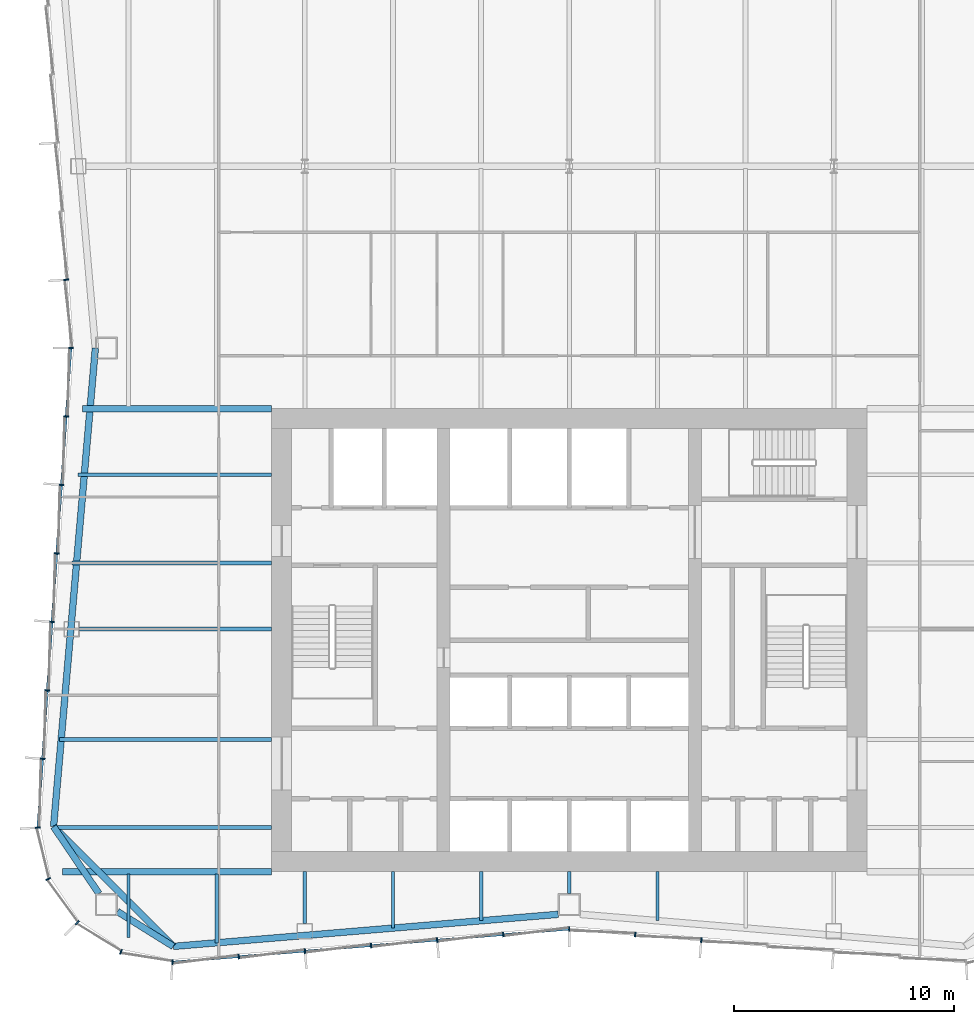
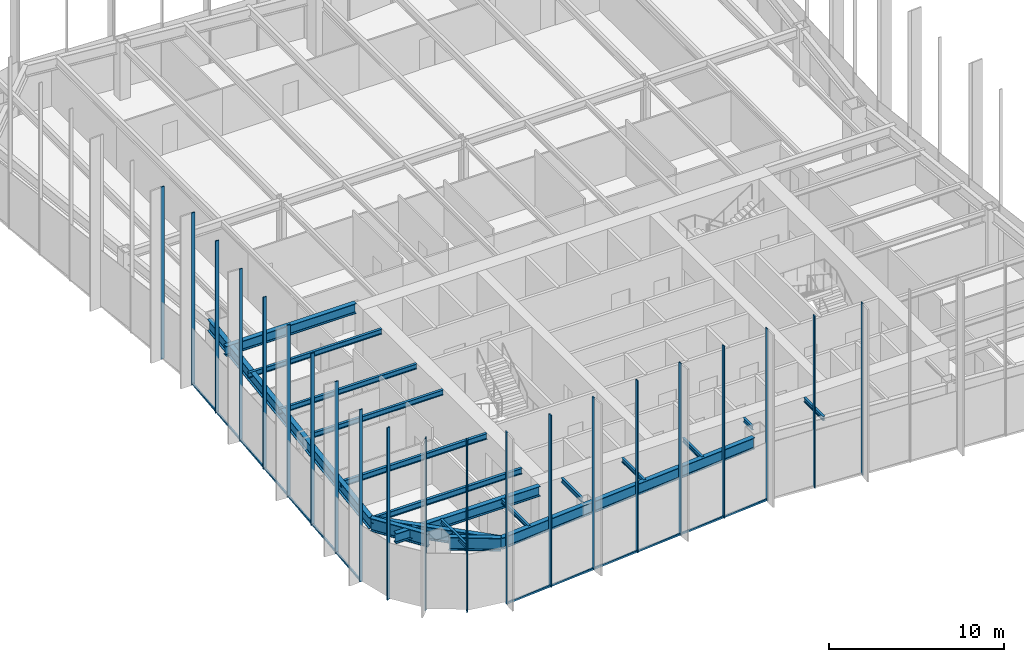
# One storey, part 2 of 13: 23 members, 19 beams, 3 elements without a shape of their own.
"""IFC4 building model written with IfcOpenShell, lengths in metres."""

from ifc_helpers import new_model, si_unit, direction, frame, origin, origin_2d, place, context, subcontext, project, spatial, rectangle, i_section, extrude, material, material_profile, profile_set, type_object, element, aggregate, save


model = new_model("IFC4")

# Units and contexts
model_context = context("Model", 3, precision=1e-05, world=origin(), true_north=direction((0.0, 1.0)))
body_context = subcontext(model_context, "Body", "Model", "MODEL_VIEW")
ifc_project = project(units=[si_unit("LENGTHUNIT", "METRE"), si_unit("AREAUNIT", "SQUARE_METRE"), si_unit("VOLUMEUNIT", "CUBIC_METRE"), si_unit("PLANEANGLEUNIT", "RADIAN"), si_unit("MASSUNIT", "GRAM", prefix="KILO")], contexts=[model_context])

# Site, building, storey
site_placement = place(None, origin())
site = spatial("IfcSite", under=ifc_project, at=site_placement, CompositionType="ELEMENT")
building_placement = place(site_placement, origin())
building = spatial("IfcBuilding", under=site, at=building_placement, Name="Verdant Reach Tower", CompositionType="ELEMENT")
storey_placement = place(building_placement, frame((0.0, 0.0, 194.0)))
storey = spatial("IfcBuildingStorey", under=building, at=storey_placement, Name="L44", CompositionType="ELEMENT", Elevation=194.0)

# Curtain wall, members
ifc_material_1 = material(Name="Anodised aluminium", Category="aluminium")
curtain_wall_type = type_object("IfcCurtainWallType", Name="EN-CW SYSTEM Z3", PredefinedType="NOTDEFINED", material=ifc_material_1)
curtain_wall_1_placement = place(storey_placement, origin())
curtain_wall_1 = element("IfcCurtainWall", 1, at=curtain_wall_1_placement, inside=storey, type_object=curtain_wall_type, Name="Curtain wall west, L44", PredefinedType="NOTDEFINED")
ifc_material_profile_1 = material_profile(ifc_material_1, rectangle(XDim=0.218017578125, YDim=0.06591796875, at=origin_2d()), Name="Mullion 66x218")
ifc_profile_set_1 = profile_set([ifc_material_profile_1], Name="Anodised aluminium")
member_type_1 = type_object("IfcMemberType", Name="EN-MULLION Z3", PredefinedType="MULLION", material=ifc_profile_set_1)
member_1_placement = place(storey_placement, frame((-22.822998046875, 44.349609375, -0.35009765625), z_axis=(0.0, 0.0, 1.0), x_axis=(-0.997630328423, -0.068802091615, 0.0)))
member_1 = element("IfcMember", 2, at=member_1_placement, type_object=member_type_1, Name="Mullion west face part 1 7, L44", PredefinedType="MULLION", context=body_context, shape_type="SweptSolid", body=[
    extrude(rectangle(XDim=0.218017578125, YDim=0.06591796875, at=origin_2d()), origin(), (0.0, 0.0, 1.0), 12.0),
])
member_2_placement = place(storey_placement, frame((-22.60888671875, 41.25, -0.35009765625), z_axis=(0.0, 0.0, 1.0), x_axis=(-1.0, 0.0, 0.0)))
member_2 = element("IfcMember", 3, at=member_2_placement, type_object=member_type_1, Name="Mullion west face part 2 1, L44", PredefinedType="MULLION", context=body_context, shape_type="SweptSolid", body=[
    extrude(rectangle(XDim=0.218017578125, YDim=0.06591796875, at=origin_2d()), origin(), (0.0, 0.0, 1.0), 12.0),
])
member_3_placement = place(storey_placement, frame((-22.822998046875, 38.150390625, -0.35009765625), z_axis=(0.0, 0.0, 1.0), x_axis=(-0.997630328423, 0.068802091615, 0.0)))
member_3 = element("IfcMember", 4, at=member_3_placement, type_object=member_type_1, Name="Mullion west face part 2 2, L44", PredefinedType="MULLION", context=body_context, shape_type="SweptSolid", body=[
    extrude(rectangle(XDim=0.218017578125, YDim=0.06591796875, at=origin_2d()), origin(), (0.0, 0.0, 1.0), 12.0),
])
member_4_placement = place(storey_placement, frame((-23.037353515625, 35.043212890625, -0.35009765625), z_axis=(0.0, 0.0, 1.0), x_axis=(-0.997630328423, 0.068802091615, 0.0)))
member_4 = element("IfcMember", 5, at=member_4_placement, type_object=member_type_1, Name="Mullion west face part 2 3, L44", PredefinedType="MULLION", context=body_context, shape_type="SweptSolid", body=[
    extrude(rectangle(XDim=0.218017578125, YDim=0.06591796875, at=origin_2d()), origin(), (0.0, 0.0, 1.0), 12.0),
])
member_5_placement = place(storey_placement, frame((-23.251708984375, 31.93603515625, -0.35009765625), z_axis=(0.0, 0.0, 1.0), x_axis=(-0.997630328423, 0.068802091615, 0.0)))
member_5 = element("IfcMember", 6, at=member_5_placement, type_object=member_type_1, Name="Mullion west face part 2 4, L44", PredefinedType="MULLION", context=body_context, shape_type="SweptSolid", body=[
    extrude(rectangle(XDim=0.218017578125, YDim=0.06591796875, at=origin_2d()), origin(), (0.0, 0.0, 1.0), 12.0),
])
member_6_placement = place(storey_placement, frame((-23.4658203125, 28.828857421875, -0.35009765625), z_axis=(0.0, 0.0, 1.0), x_axis=(-0.997630328423, 0.068802091615, 0.0)))
member_6 = element("IfcMember", 7, at=member_6_placement, type_object=member_type_1, Name="Mullion west face part 2 5, L44", PredefinedType="MULLION", context=body_context, shape_type="SweptSolid", body=[
    extrude(rectangle(XDim=0.218017578125, YDim=0.06591796875, at=origin_2d()), origin(), (0.0, 0.0, 1.0), 12.0),
])
member_7_placement = place(storey_placement, frame((-23.68017578125, 25.7216796875, -0.35009765625), z_axis=(0.0, 0.0, 1.0), x_axis=(-0.997630328423, 0.068802091615, 0.0)))
member_7 = element("IfcMember", 8, at=member_7_placement, type_object=member_type_1, Name="Mullion west face part 2 6, L44", PredefinedType="MULLION", context=body_context, shape_type="SweptSolid", body=[
    extrude(rectangle(XDim=0.218017578125, YDim=0.06591796875, at=origin_2d()), origin(), (0.0, 0.0, 1.0), 12.0),
])
member_8_placement = place(storey_placement, frame((-23.89453125, 22.61474609375, -0.35009765625), z_axis=(0.0, 0.0, 1.0), x_axis=(-0.997630328423, 0.068802091615, 0.0)))
member_8 = element("IfcMember", 9, at=member_8_placement, type_object=member_type_1, Name="Mullion west face part 2 7, L44", PredefinedType="MULLION", context=body_context, shape_type="SweptSolid", body=[
    extrude(rectangle(XDim=0.218017578125, YDim=0.06591796875, at=origin_2d()), origin(), (0.0, 0.0, 1.0), 12.0),
])

curtain_wall_2_placement = place(storey_placement, origin())
curtain_wall_2 = element("IfcCurtainWall", 10, at=curtain_wall_2_placement, inside=storey, type_object=curtain_wall_type, Name="Curtain wall south-west corner, L44", PredefinedType="NOTDEFINED")
member_9_placement = place(storey_placement, frame((-24.10888671875, 19.4931640625, -0.35009765625), z_axis=(0.0, 0.0, 1.0), x_axis=(-0.997969180898, -0.063698618332, 0.0)))
member_9 = element("IfcMember", 11, at=member_9_placement, type_object=member_type_1, Name="Mullion south-west corner 1, L44", PredefinedType="MULLION", context=body_context, shape_type="SweptSolid", body=[
    extrude(rectangle(XDim=0.218017578125, YDim=0.06591796875, at=origin_2d()), origin(), (0.0, 0.0, 1.0), 12.0),
])
member_10_placement = place(storey_placement, frame((-23.64404296875, 17.162109375, -0.35009765625), z_axis=(0.0, 0.0, 1.0), x_axis=(-0.923875215753, -0.382693853776, 0.0)))
member_10 = element("IfcMember", 12, at=member_10_placement, type_object=member_type_1, Name="Mullion south-west corner 2, L44", PredefinedType="MULLION", context=body_context, shape_type="SweptSolid", body=[
    extrude(rectangle(XDim=0.218017578125, YDim=0.06591796875, at=origin_2d()), origin(), (0.0, 0.0, 1.0), 12.0),
])
member_11_placement = place(storey_placement, frame((-22.319580078125, 15.180419921875, -0.35009765625), z_axis=(0.0, 0.0, 1.0), x_axis=(-0.707106781187, -0.707106781187, 0.0)))
member_11 = element("IfcMember", 13, at=member_11_placement, type_object=member_type_1, Name="Mullion south-west corner 3, L44", PredefinedType="MULLION", context=body_context, shape_type="SweptSolid", body=[
    extrude(rectangle(XDim=0.218017578125, YDim=0.06591796875, at=origin_2d()), origin(), (0.0, 0.0, 1.0), 12.0),
])
member_12_placement = place(storey_placement, frame((-20.337890625, 13.85595703125, -0.35009765625), z_axis=(0.0, 0.0, 1.0), x_axis=(-0.382693853776, -0.923875215753, 0.0)))
member_12 = element("IfcMember", 14, at=member_12_placement, type_object=member_type_1, Name="Mullion south-west corner 4, L44", PredefinedType="MULLION", context=body_context, shape_type="SweptSolid", body=[
    extrude(rectangle(XDim=0.218017578125, YDim=0.06591796875, at=origin_2d()), origin(), (0.0, 0.0, 1.0), 12.0),
])
aggregate(curtain_wall_2, [member_9, member_10, member_11, member_12])

curtain_wall_3_placement = place(storey_placement, origin())
curtain_wall_3 = element("IfcCurtainWall", 15, at=curtain_wall_3_placement, inside=storey, type_object=curtain_wall_type, Name="Curtain wall south, L44", PredefinedType="NOTDEFINED")
member_13_placement = place(storey_placement, frame((-18.006103515625, 13.39111328125, -0.35009765625), z_axis=(0.0, 0.0, 1.0), x_axis=(-0.056569187765, -0.998398681387, 0.0)))
member_13 = element("IfcMember", 16, at=member_13_placement, type_object=member_type_1, Name="Mullion south face part 1 1, L44", PredefinedType="MULLION", context=body_context, shape_type="SweptSolid", body=[
    extrude(rectangle(XDim=0.218017578125, YDim=0.06591796875, at=origin_2d()), origin(), (0.0, 0.0, 1.0), 12.0),
])
member_14_placement = place(storey_placement, frame((-14.990966796875, 13.641357421875, -0.35009765625), z_axis=(0.0, 0.0, 1.0), x_axis=(0.083045479859, -0.996545758244, 0.0)))
member_14 = element("IfcMember", 17, at=member_14_placement, type_object=member_type_1, Name="Mullion south face part 1 2, L44", PredefinedType="MULLION", context=body_context, shape_type="SweptSolid", body=[
    extrude(rectangle(XDim=0.218017578125, YDim=0.06591796875, at=origin_2d()), origin(), (0.0, 0.0, 1.0), 12.0),
])
member_15_placement = place(storey_placement, frame((-11.990966796875, 13.891357421875, -0.35009765625), z_axis=(0.0, 0.0, 1.0), x_axis=(0.083045479859, -0.996545758244, 0.0)))
member_15 = element("IfcMember", 18, at=member_15_placement, type_object=member_type_1, Name="Mullion south face part 1 3, L44", PredefinedType="MULLION", context=body_context, shape_type="SweptSolid", body=[
    extrude(rectangle(XDim=0.218017578125, YDim=0.06591796875, at=origin_2d()), origin(), (0.0, 0.0, 1.0), 12.0),
])
member_16_placement = place(storey_placement, frame((-8.990966796875, 14.141357421875, -0.35009765625), z_axis=(0.0, 0.0, 1.0), x_axis=(0.083045479859, -0.996545758244, 0.0)))
member_16 = element("IfcMember", 19, at=member_16_placement, type_object=member_type_1, Name="Mullion south face part 1 4, L44", PredefinedType="MULLION", context=body_context, shape_type="SweptSolid", body=[
    extrude(rectangle(XDim=0.218017578125, YDim=0.06591796875, at=origin_2d()), origin(), (0.0, 0.0, 1.0), 12.0),
])
member_17_placement = place(storey_placement, frame((-5.990966796875, 14.391357421875, -0.35009765625), z_axis=(0.0, 0.0, 1.0), x_axis=(0.083045479859, -0.996545758244, 0.0)))
member_17 = element("IfcMember", 20, at=member_17_placement, type_object=member_type_1, Name="Mullion south face part 1 5, L44", PredefinedType="MULLION", context=body_context, shape_type="SweptSolid", body=[
    extrude(rectangle(XDim=0.218017578125, YDim=0.06591796875, at=origin_2d()), origin(), (0.0, 0.0, 1.0), 12.0),
])
member_18_placement = place(storey_placement, frame((-2.990966796875, 14.641357421875, -0.35009765625), z_axis=(0.0, 0.0, 1.0), x_axis=(0.083045479859, -0.996545758244, 0.0)))
member_18 = element("IfcMember", 21, at=member_18_placement, type_object=member_type_1, Name="Mullion south face part 1 6, L44", PredefinedType="MULLION", context=body_context, shape_type="SweptSolid", body=[
    extrude(rectangle(XDim=0.218017578125, YDim=0.06591796875, at=origin_2d()), origin(), (0.0, 0.0, 1.0), 12.0),
])
member_19_placement = place(storey_placement, frame((0.0, 14.89111328125, -0.35009765625), z_axis=(0.0, 0.0, 1.0), x_axis=(0.0, -1.0, 0.0)))
member_19 = element("IfcMember", 22, at=member_19_placement, type_object=member_type_1, Name="Mullion south face part 2 1, L44", PredefinedType="MULLION", context=body_context, shape_type="SweptSolid", body=[
    extrude(rectangle(XDim=0.218017578125, YDim=0.06591796875, at=origin_2d()), origin(), (0.0, 0.0, 1.0), 12.0),
])
member_20_placement = place(storey_placement, frame((2.990966796875, 14.641357421875, -0.35009765625), z_axis=(0.0, 0.0, 1.0), x_axis=(-0.083045479859, -0.996545758244, 0.0)))
member_20 = element("IfcMember", 23, at=member_20_placement, type_object=member_type_1, Name="Mullion south face part 2 2, L44", PredefinedType="MULLION", context=body_context, shape_type="SweptSolid", body=[
    extrude(rectangle(XDim=0.218017578125, YDim=0.06591796875, at=origin_2d()), origin(), (0.0, 0.0, 1.0), 12.0),
])
member_21_placement = place(storey_placement, frame((5.990966796875, 14.391357421875, -0.35009765625), z_axis=(0.0, 0.0, 1.0), x_axis=(-0.083045479859, -0.996545758244, 0.0)))
member_21 = element("IfcMember", 24, at=member_21_placement, type_object=member_type_1, Name="Mullion south face part 2 3, L44", PredefinedType="MULLION", context=body_context, shape_type="SweptSolid", body=[
    extrude(rectangle(XDim=0.218017578125, YDim=0.06591796875, at=origin_2d()), origin(), (0.0, 0.0, 1.0), 12.0),
])

# Member
ifc_material_profile_2 = material_profile(ifc_material_1, rectangle(XDim=0.10009765625, YDim=0.1259765625, at=origin_2d()), Name="Transom 126x100")
ifc_profile_set_2 = profile_set([ifc_material_profile_2], Name="Anodised aluminium")
member_type_2 = type_object("IfcMemberType", Name="EN-TRANSOM Z3", PredefinedType="USERDEFINED", material=ifc_profile_set_2)
member_22_placement = place(storey_placement, frame((-22.611328125, 41.217041015625, -0.287109375), z_axis=(-0.068764326054, -0.997632932226, 0.0), x_axis=(0.997632932226, -0.068764326054, 0.0)))
member_22 = element("IfcMember", 25, at=member_22_placement, type_object=member_type_2, Name="Transom west face part 2 1.1, L44", ObjectType="TRANSOM", PredefinedType="USERDEFINED", context=body_context, shape_type="SweptSolid", body=[
    extrude(rectangle(XDim=0.10009765625, YDim=0.1259765625, at=origin_2d()), origin(), (0.0, 0.0, 1.0), 21.74267578125),
])

aggregate(curtain_wall_1, [member_1, member_2, member_3, member_4, member_5, member_6, member_7, member_8, member_22])

member_23_placement = place(storey_placement, frame((-17.973388671875, 13.393798828125, -0.287109375), z_axis=(0.996548750467, 0.083009565369, 0.0), x_axis=(-0.083009565369, 0.996548750467, 0.0)))
member_23 = element("IfcMember", 26, at=member_23_placement, type_object=member_type_2, Name="Transom south face part 1 1.1, L44", ObjectType="TRANSOM", PredefinedType="USERDEFINED", context=body_context, shape_type="SweptSolid", body=[
    extrude(rectangle(XDim=0.10009765625, YDim=0.1259765625, at=origin_2d()), origin(), (0.0, 0.0, 1.0), 18.00244140625),
])

aggregate(curtain_wall_3, [member_13, member_14, member_15, member_16, member_17, member_18, member_23, member_19, member_20, member_21])

# Beams
ifc_material_2 = material(Name="Steel S355", Category="steel")
ifc_material_profile_3 = material_profile(ifc_material_2, i_section(OverallWidth=0.300048828125, OverallDepth=0.699951171875, WebThickness=0.01708984375, FlangeThickness=0.031982421875, FilletRadius=0.027099609375, at=origin_2d()), Name="HEB 700")
ifc_profile_set_3 = profile_set([ifc_material_profile_3], Name="Steel S355")
beam_type_1 = type_object("IfcBeamType", Name="ST-BEAM-HEB700", PredefinedType="BEAM", material=ifc_profile_set_3)
beam_1_placement = place(storey_placement, frame((-13.5, 38.5, 3.52001953125), z_axis=(-1.0, 0.0, 0.0), x_axis=(0.0, -1.0, 0.0)))
element("IfcBeam", 27, at=beam_1_placement, inside=storey, type_object=beam_type_1, Name="Trimmer beam, L44", PredefinedType="BEAM", context=body_context, shape_type="SweptSolid", body=[
    extrude(i_section(OverallWidth=0.300048828125, OverallDepth=0.699951171875, WebThickness=0.01708984375, FlangeThickness=0.031982421875, FilletRadius=0.027099609375, at=origin_2d()), origin(), (0.0, 0.0, 1.0), 8.588134765625),
])
beam_2_placement = place(storey_placement, frame((-13.5, 17.5, 3.52001953125), z_axis=(-1.0, 0.0, 0.0), x_axis=(0.0, -1.0, 0.0)))
element("IfcBeam", 28, at=beam_2_placement, inside=storey, type_object=beam_type_1, Name="Trimmer beam, L44", PredefinedType="BEAM", context=body_context, shape_type="SweptSolid", body=[
    extrude(i_section(OverallWidth=0.300048828125, OverallDepth=0.699951171875, WebThickness=0.01708984375, FlangeThickness=0.031982421875, FilletRadius=0.027099609375, at=origin_2d()), origin(), (0.0, 0.0, 1.0), 9.490478515625),
])
ifc_material_profile_4 = material_profile(ifc_material_2, i_section(OverallWidth=0.302001953125, OverallDepth=0.909912109375, WebThickness=0.02099609375, FlangeThickness=0.0400390625, FilletRadius=0.030029296875, at=origin_2d()), Name="HEM 900")
ifc_profile_set_4 = profile_set([ifc_material_profile_4], Name="Steel S355")
beam_type_2 = type_object("IfcBeamType", Name="ST-BEAM-HEM900", PredefinedType="BEAM", material=ifc_profile_set_4)
beam_3_placement = place(storey_placement, frame((-20.5, 15.687744140625, 3.4150390625), z_axis=(0.848163521635, -0.529734500073, 0.0), x_axis=(0.529734500073, 0.848163521635, 0.0)))
element("IfcBeam", 29, at=beam_3_placement, inside=storey, type_object=beam_type_2, Name="Column stub beam, L44", PredefinedType="BEAM", context=body_context, shape_type="SweptSolid", body=[
    extrude(i_section(OverallWidth=0.302001953125, OverallDepth=0.909912109375, WebThickness=0.02099609375, FlangeThickness=0.0400390625, FilletRadius=0.030029296875, at=origin_2d()), origin(), (0.0, 0.0, 1.0), 2.98779296875),
])
beam_4_placement = place(storey_placement, frame((-21.33837890625, 16.5, 3.4150390625), z_axis=(-0.560703975309, 0.828016335631, 0.0), x_axis=(-0.828016335631, -0.560703975309, 0.0)))
element("IfcBeam", 30, at=beam_4_placement, inside=storey, type_object=beam_type_2, Name="Column stub beam, L44", PredefinedType="BEAM", context=body_context, shape_type="SweptSolid", body=[
    extrude(i_section(OverallWidth=0.302001953125, OverallDepth=0.909912109375, WebThickness=0.02099609375, FlangeThickness=0.0400390625, FilletRadius=0.030029296875, at=origin_2d()), origin(), (0.0, 0.0, 1.0), 3.669677734375),
])
ifc_material_profile_5 = material_profile(ifc_material_2, i_section(OverallWidth=0.14990234375, OverallDepth=0.300048828125, WebThickness=0.007080078125, FlangeThickness=0.0107421875, FilletRadius=0.014892578125, at=origin_2d()), Name="IPE 300")
ifc_profile_set_5 = profile_set([ifc_material_profile_5], Name="Steel S355")
beam_type_3 = type_object("IfcBeamType", Name="ST-JOIST-IPE300", PredefinedType="JOIST", material=ifc_profile_set_5)
beam_5_placement = place(storey_placement, frame((-20.0, 17.39990234375, 3.719970703125), z_axis=(0.0, -1.0, 0.0), x_axis=(1.0, 0.0, 0.0)))
element("IfcBeam", 31, at=beam_5_placement, inside=storey, type_object=beam_type_3, Name="Floor joist, L44", PredefinedType="JOIST", context=body_context, shape_type="SweptSolid", body=[
    extrude(i_section(OverallWidth=0.14990234375, OverallDepth=0.300048828125, WebThickness=0.007080078125, FlangeThickness=0.0107421875, FilletRadius=0.014892578125, at=origin_2d()), origin(), (0.0, 0.0, 1.0), 2.890380859375),
])
beam_6_placement = place(storey_placement, frame((-16.0, 17.39990234375, 3.719970703125), z_axis=(0.0, -1.0, 0.0), x_axis=(1.0, 0.0, 0.0)))
element("IfcBeam", 32, at=beam_6_placement, inside=storey, type_object=beam_type_3, Name="Floor joist, L44", PredefinedType="JOIST", context=body_context, shape_type="SweptSolid", body=[
    extrude(i_section(OverallWidth=0.14990234375, OverallDepth=0.300048828125, WebThickness=0.007080078125, FlangeThickness=0.0107421875, FilletRadius=0.014892578125, at=origin_2d()), origin(), (0.0, 0.0, 1.0), 3.131103515625),
])
beam_7_placement = place(storey_placement, frame((-12.0, 17.5, 3.719970703125), z_axis=(0.0, -1.0, 0.0), x_axis=(1.0, 0.0, 0.0)))
element("IfcBeam", 33, at=beam_7_placement, inside=storey, type_object=beam_type_3, Name="Floor joist, L44", PredefinedType="JOIST", context=body_context, shape_type="SweptSolid", body=[
    extrude(i_section(OverallWidth=0.14990234375, OverallDepth=0.300048828125, WebThickness=0.007080078125, FlangeThickness=0.0107421875, FilletRadius=0.014892578125, at=origin_2d()), origin(), (0.0, 0.0, 1.0), 2.35009765625),
])
beam_8_placement = place(storey_placement, frame((-8.0, 17.5, 3.719970703125), z_axis=(0.0, -1.0, 0.0), x_axis=(1.0, 0.0, 0.0)))
element("IfcBeam", 34, at=beam_8_placement, inside=storey, type_object=beam_type_3, Name="Floor joist, L44", PredefinedType="JOIST", context=body_context, shape_type="SweptSolid", body=[
    extrude(i_section(OverallWidth=0.14990234375, OverallDepth=0.300048828125, WebThickness=0.007080078125, FlangeThickness=0.0107421875, FilletRadius=0.014892578125, at=origin_2d()), origin(), (0.0, 0.0, 1.0), 2.564697265625),
])
beam_9_placement = place(storey_placement, frame((-4.0, 17.5, 3.719970703125), z_axis=(0.0, -1.0, 0.0), x_axis=(1.0, 0.0, 0.0)))
element("IfcBeam", 35, at=beam_9_placement, inside=storey, type_object=beam_type_3, Name="Floor joist, L44", PredefinedType="JOIST", context=body_context, shape_type="SweptSolid", body=[
    extrude(i_section(OverallWidth=0.14990234375, OverallDepth=0.300048828125, WebThickness=0.007080078125, FlangeThickness=0.0107421875, FilletRadius=0.014892578125, at=origin_2d()), origin(), (0.0, 0.0, 1.0), 2.231201171875),
])
beam_10_placement = place(storey_placement, frame((0.0, 17.5, 3.719970703125), z_axis=(0.0, -1.0, 0.0), x_axis=(1.0, 0.0, 0.0)))
element("IfcBeam", 36, at=beam_10_placement, inside=storey, type_object=beam_type_3, Name="Floor joist, L44", PredefinedType="JOIST", context=body_context, shape_type="SweptSolid", body=[
    extrude(i_section(OverallWidth=0.14990234375, OverallDepth=0.300048828125, WebThickness=0.007080078125, FlangeThickness=0.0107421875, FilletRadius=0.014892578125, at=origin_2d()), origin(), (0.0, 0.0, 1.0), 1.0),
])
beam_11_placement = place(storey_placement, frame((4.0, 17.5, 3.719970703125), z_axis=(0.0, -1.0, 0.0), x_axis=(1.0, 0.0, 0.0)))
element("IfcBeam", 37, at=beam_11_placement, inside=storey, type_object=beam_type_3, Name="Floor joist, L44", PredefinedType="JOIST", context=body_context, shape_type="SweptSolid", body=[
    extrude(i_section(OverallWidth=0.14990234375, OverallDepth=0.300048828125, WebThickness=0.007080078125, FlangeThickness=0.0107421875, FilletRadius=0.014892578125, at=origin_2d()), origin(), (0.0, 0.0, 1.0), 2.231201171875),
])
ifc_material_profile_6 = material_profile(ifc_material_2, i_section(OverallWidth=0.169921875, OverallDepth=0.360107421875, WebThickness=0.008056640625, FlangeThickness=0.0126953125, FilletRadius=0.01806640625, at=origin_2d()), Name="IPE 360")
ifc_profile_set_6 = profile_set([ifc_material_profile_6], Name="Steel S355")
beam_type_4 = type_object("IfcBeamType", Name="ST-JOIST-IPE360", PredefinedType="JOIST", material=ifc_profile_set_6)
beam_12_placement = place(storey_placement, frame((-13.5, 28.5, 3.68994140625), z_axis=(-1.0, 0.0, 0.0), x_axis=(0.0, -1.0, 0.0)))
element("IfcBeam", 38, at=beam_12_placement, inside=storey, type_object=beam_type_4, Name="Floor joist, L44", PredefinedType="JOIST", context=body_context, shape_type="SweptSolid", body=[
    extrude(i_section(OverallWidth=0.169921875, OverallDepth=0.360107421875, WebThickness=0.008056640625, FlangeThickness=0.0126953125, FilletRadius=0.01806640625, at=origin_2d()), origin(), (0.0, 0.0, 1.0), 8.729248046875),
])
beam_13_placement = place(storey_placement, frame((-13.5, 31.5, 3.68994140625), z_axis=(-1.0, 0.0, 0.0), x_axis=(0.0, -1.0, 0.0)))
element("IfcBeam", 39, at=beam_13_placement, inside=storey, type_object=beam_type_4, Name="Floor joist, L44", PredefinedType="JOIST", context=body_context, shape_type="SweptSolid", body=[
    extrude(i_section(OverallWidth=0.169921875, OverallDepth=0.360107421875, WebThickness=0.008056640625, FlangeThickness=0.0126953125, FilletRadius=0.01806640625, at=origin_2d()), origin(), (0.0, 0.0, 1.0), 9.071044921875),
])
beam_14_placement = place(storey_placement, frame((-13.5, 35.5, 3.68994140625), z_axis=(-1.0, 0.0, 0.0), x_axis=(0.0, -1.0, 0.0)))
element("IfcBeam", 40, at=beam_14_placement, inside=storey, type_object=beam_type_4, Name="Floor joist, L44", PredefinedType="JOIST", context=body_context, shape_type="SweptSolid", body=[
    extrude(i_section(OverallWidth=0.169921875, OverallDepth=0.360107421875, WebThickness=0.008056640625, FlangeThickness=0.0126953125, FilletRadius=0.01806640625, at=origin_2d()), origin(), (0.0, 0.0, 1.0), 8.795166015625),
])
ifc_material_profile_7 = material_profile(ifc_material_2, i_section(OverallWidth=0.179931640625, OverallDepth=0.39990234375, WebThickness=0.008544921875, FlangeThickness=0.013427734375, FilletRadius=0.02099609375, at=origin_2d()), Name="IPE 400")
ifc_profile_set_7 = profile_set([ifc_material_profile_7], Name="Steel S355")
beam_type_5 = type_object("IfcBeamType", Name="ST-JOIST-IPE400", PredefinedType="JOIST", material=ifc_profile_set_7)
beam_15_placement = place(storey_placement, frame((-13.5, 19.5, 3.669921875), z_axis=(-1.0, 0.0, 0.0), x_axis=(0.0, -1.0, 0.0)))
element("IfcBeam", 41, at=beam_15_placement, inside=storey, type_object=beam_type_5, Name="Floor joist, L44", PredefinedType="JOIST", context=body_context, shape_type="SweptSolid", body=[
    extrude(i_section(OverallWidth=0.179931640625, OverallDepth=0.39990234375, WebThickness=0.008544921875, FlangeThickness=0.013427734375, FilletRadius=0.02099609375, at=origin_2d()), origin(), (0.0, 0.0, 1.0), 9.88818359375),
])
beam_16_placement = place(storey_placement, frame((-13.5, 23.5, 3.669921875), z_axis=(-1.0, 0.0, 0.0), x_axis=(0.0, -1.0, 0.0)))
element("IfcBeam", 42, at=beam_16_placement, inside=storey, type_object=beam_type_5, Name="Floor joist, L44", PredefinedType="JOIST", context=body_context, shape_type="SweptSolid", body=[
    extrude(i_section(OverallWidth=0.179931640625, OverallDepth=0.39990234375, WebThickness=0.008544921875, FlangeThickness=0.013427734375, FilletRadius=0.02099609375, at=origin_2d()), origin(), (0.0, 0.0, 1.0), 9.622802734375),
])
ifc_material_profile_8 = material_profile(ifc_material_2, i_section(OverallWidth=0.300048828125, OverallDepth=0.800048828125, WebThickness=0.017578125, FlangeThickness=0.032958984375, FilletRadius=0.030029296875, at=origin_2d()), Name="HEB 800")
ifc_profile_set_8 = profile_set([ifc_material_profile_8], Name="Steel S355")
beam_type_6 = type_object("IfcBeamType", Name="ST-SPANDREL-HEB800", PredefinedType="SPANDREL", material=ifc_profile_set_8)
beam_17_placement = place(storey_placement, frame((-0.5, 15.560302734375, 3.469970703125), z_axis=(-0.99654652675, -0.083036257282, 0.0), x_axis=(0.083036257282, -0.99654652675, 0.0)))
element("IfcBeam", 43, at=beam_17_placement, inside=storey, type_object=beam_type_6, Name="Edge beam, L44", PredefinedType="SPANDREL", context=body_context, shape_type="SweptSolid", body=[
    extrude(i_section(OverallWidth=0.300048828125, OverallDepth=0.800048828125, WebThickness=0.017578125, FlangeThickness=0.032958984375, FilletRadius=0.030029296875, at=origin_2d()), origin(), (0.0, 0.0, 1.0), 17.5263671875),
])
beam_18_placement = place(storey_placement, frame((-23.39599609375, 19.53857421875, 3.469970703125), z_axis=(0.086996024331, 0.996208658741, 0.0), x_axis=(-0.996208658741, 0.086996024331, 0.0)))
element("IfcBeam", 44, at=beam_18_placement, inside=storey, type_object=beam_type_6, Name="Edge beam, L44", PredefinedType="SPANDREL", context=body_context, shape_type="SweptSolid", body=[
    extrude(i_section(OverallWidth=0.300048828125, OverallDepth=0.800048828125, WebThickness=0.017578125, FlangeThickness=0.032958984375, FilletRadius=0.030029296875, at=origin_2d()), origin(), (0.0, 0.0, 1.0), 21.7939453125),
])
ifc_material_profile_9 = material_profile(ifc_material_2, i_section(OverallWidth=0.302001953125, OverallDepth=0.909912109375, WebThickness=0.02099609375, FlangeThickness=0.0400390625, FilletRadius=0.030029296875, at=origin_2d()), Name="HEM 900")
ifc_profile_set_9 = profile_set([ifc_material_profile_9], Name="Steel S355")
beam_type_7 = type_object("IfcBeamType", Name="ST-SPANDREL-HEM900", PredefinedType="SPANDREL", material=ifc_profile_set_9)
beam_19_placement = place(storey_placement, frame((-17.9658203125, 14.10498046875, 3.4150390625), z_axis=(-0.706884275642, 0.707329216738, 0.0), x_axis=(-0.707329216738, -0.706884275642, 0.0)))
element("IfcBeam", 45, at=beam_19_placement, inside=storey, type_object=beam_type_7, Name="Edge beam, L44", PredefinedType="SPANDREL", context=body_context, shape_type="SweptSolid", body=[
    extrude(i_section(OverallWidth=0.302001953125, OverallDepth=0.909912109375, WebThickness=0.02099609375, FlangeThickness=0.0400390625, FilletRadius=0.030029296875, at=origin_2d()), origin(), (0.0, 0.0, 1.0), 7.681884765625),
])

save(model, "model.ifc")
